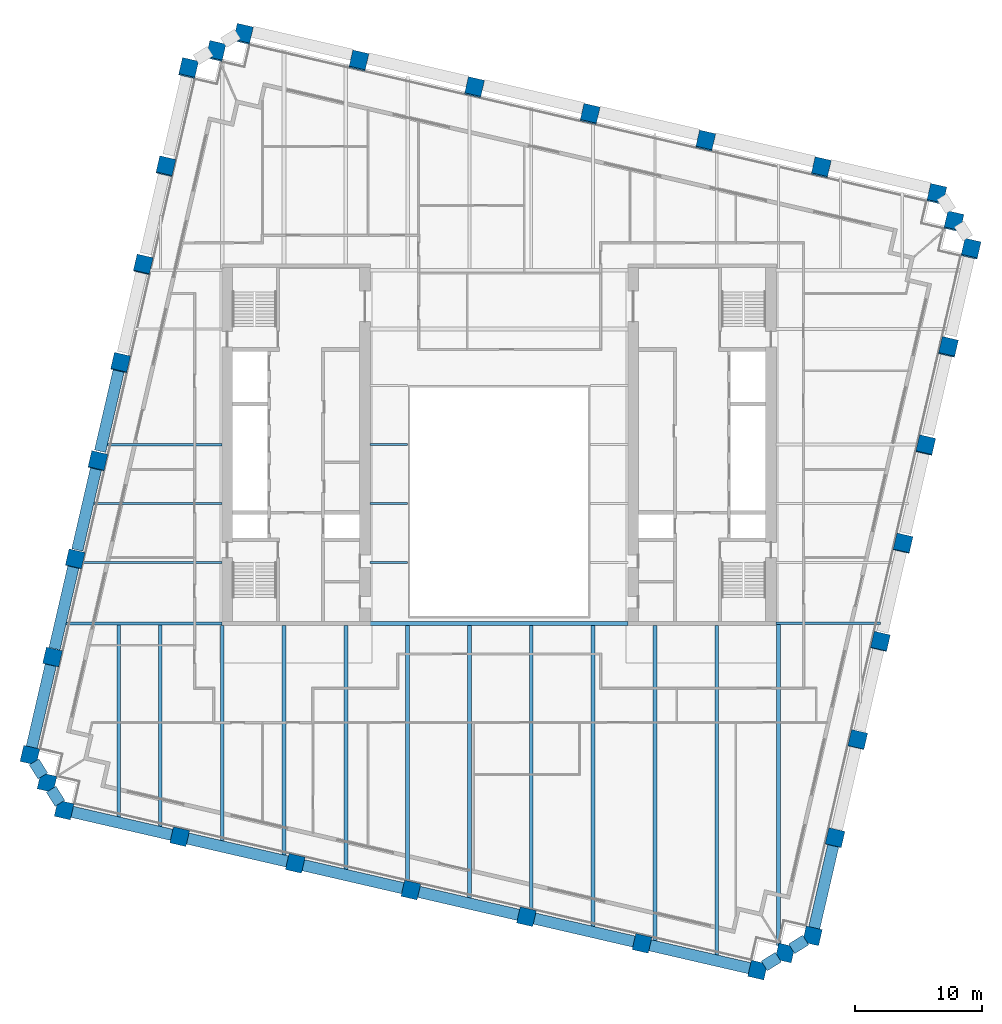
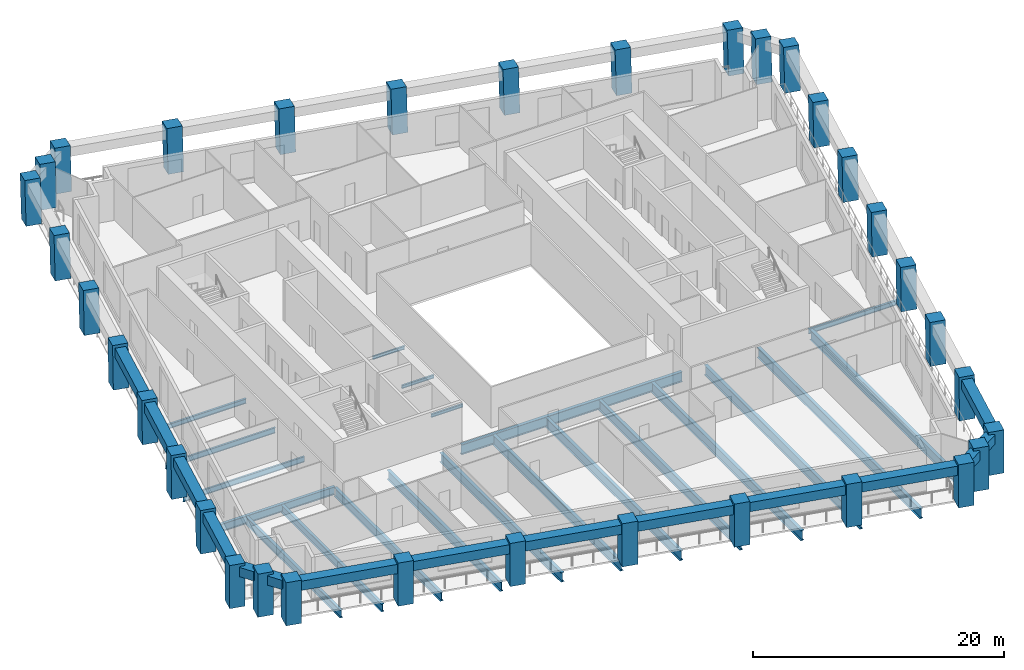
# One storey, part 1 of 11: 36 beams, 34 columns.
"""IFC4 building model written with IfcOpenShell, lengths in metres."""

from ifc_helpers import new_model, si_unit, direction, frame, origin, origin_2d, place, context, subcontext, project, spatial, rectangle, i_section, extrude, material, material_profile, profile_set, type_object, element, save


model = new_model("IFC4")

# Units and contexts
model_context = context("Model", 3, precision=1e-05, world=origin(), true_north=direction((0.0, 1.0)))
body_context = subcontext(model_context, "Body", "Model", "MODEL_VIEW")
ifc_project = project(units=[si_unit("LENGTHUNIT", "METRE"), si_unit("AREAUNIT", "SQUARE_METRE"), si_unit("VOLUMEUNIT", "CUBIC_METRE"), si_unit("PLANEANGLEUNIT", "RADIAN"), si_unit("MASSUNIT", "GRAM", prefix="KILO")], contexts=[model_context])

# Site, building, storey
site_placement = place(None, origin())
site = spatial("IfcSite", under=ifc_project, at=site_placement, CompositionType="ELEMENT")
building_placement = place(site_placement, origin())
building = spatial("IfcBuilding", under=site, at=building_placement, Name="Ogive Exchange Tower", CompositionType="ELEMENT")
storey_placement = place(building_placement, frame((0.0, 0.0, 109.800048828125)))
storey = spatial("IfcBuildingStorey", under=building, at=storey_placement, Name="L23", CompositionType="ELEMENT", Elevation=109.800048828125)

# Columns
ifc_material_1 = material(Name="Precast concrete C70/85 (limestone faced)", Category="masonry")
ifc_material_profile_1 = material_profile(ifc_material_1, rectangle(XDim=1.300048828125, YDim=1.300048828125, at=origin_2d()), Name="1300 x 1300")
ifc_profile_set_1 = profile_set([ifc_material_profile_1], Name="Precast concrete C70/85 (limestone faced)")
column_type = type_object("IfcColumnType", Name="Precast exoskeleton leg 1300 x 1300 C70/85", PredefinedType="COLUMN", material=ifc_profile_set_1)
for number, where, z_axis, x_axis, name in (
    (1, (-34.281982421875, -17.298095703125, 0.0), (0.0, 0.0, 1.0), (0.974370064785, -0.224951054344, 0.0), "Exoskeleton leg 1"),
    (2, (-25.171630859375, -19.401611328125, 0.0), (0.0, 0.0, 1.0), (0.974370064785, -0.224951054344, 0.0), "Exoskeleton leg 2"),
    (3, (-16.061279296875, -21.504638671875, 0.0), (0.0, 0.0, 1.0), (0.974370064785, -0.224951054344, 0.0), "Exoskeleton leg 3"),
    (4, (-6.950927734375, -23.60791015625, 0.0), (0.0, 0.0, 1.0), (0.974370064785, -0.224951054344, 0.0), "Exoskeleton leg 4"),
    (5, (2.159423828125, -25.711181640625, 0.0), (0.0, 0.0, 1.0), (0.974370064785, -0.224951054344, 0.0), "Exoskeleton leg 5"),
    (6, (11.269775390625, -27.814697265625, 0.0), (0.0, 0.0, 1.0), (0.974370064785, -0.224951054344, 0.0), "Exoskeleton leg 6"),
    (7, (20.380126953125, -29.91796875, 0.0), (0.0, 0.0, 1.0), (0.974370064785, -0.224951054344, 0.0), "Exoskeleton leg 7"),
    (8, (24.697509765625, -27.219970703125, 0.0), (0.0, 0.0, 1.0), (0.974370064785, -0.224951054344, 0.0), "Exoskeleton leg 8"),
):
    element("IfcColumn", number, at=place(storey_placement, frame(where, z_axis=z_axis, x_axis=x_axis)), inside=storey, type_object=column_type, Name=name, PredefinedType="COLUMN", context=body_context, shape_type="SweptSolid", body=[
        extrude(rectangle(XDim=1.300048828125, YDim=1.300048828125, at=origin_2d()), origin(), (0.0, 0.0, 1.0), 4.199951171875),
    ])
column_1_placement = place(storey_placement, frame((26.482177734375, -19.49072265625, 0.0), z_axis=(0.002906226325, 0.012613022249, 0.99991622925), x_axis=(-0.974466825284, 0.224531526563, 0.0)))
element("IfcColumn", 9, at=column_1_placement, inside=storey, type_object=column_type, Name="Exoskeleton leg 9", PredefinedType="COLUMN", context=body_context, shape_type="SweptSolid", body=[
    extrude(rectangle(XDim=1.300048828125, YDim=1.300048828125, at=origin_2d()), origin(), (0.0, 0.0, 1.0), 4.2001953125),
])
column_2_placement = place(storey_placement, frame((28.2666015625, -11.76171875, 0.0), z_axis=(0.005810983994, 0.025277780376, 0.999663576552), x_axis=(-0.974579651079, 0.224041299099, 0.0)))
element("IfcColumn", 10, at=column_2_placement, inside=storey, type_object=column_type, Name="Exoskeleton leg 10", PredefinedType="COLUMN", context=body_context, shape_type="SweptSolid", body=[
    extrude(rectangle(XDim=1.300048828125, YDim=1.300048828125, at=origin_2d()), origin(), (0.0, 0.0, 1.0), 4.201416015625),
])
column_3_placement = place(storey_placement, frame((30.05078125, -4.032470703125, 0.0), z_axis=(0.008770884695, 0.037929719907, 0.99924191662), x_axis=(-0.974290512438, 0.225295355862, 0.0)))
element("IfcColumn", 11, at=column_3_placement, inside=storey, type_object=column_type, Name="Exoskeleton leg 11", PredefinedType="COLUMN", context=body_context, shape_type="SweptSolid", body=[
    extrude(rectangle(XDim=1.300048828125, YDim=1.300048828125, at=origin_2d()), origin(), (0.0, 0.0, 1.0), 4.203125),
])
column_4_placement = place(storey_placement, frame((31.835205078125, 3.696533203125, 0.0), z_axis=(0.01172631027, 0.050562456661, 0.998652057337), x_axis=(-0.974145569572, 0.225921245756, 0.0)))
element("IfcColumn", 12, at=column_4_placement, inside=storey, type_object=column_type, Name="Exoskeleton leg 12", PredefinedType="COLUMN", context=body_context, shape_type="SweptSolid", body=[
    extrude(rectangle(XDim=1.300048828125, YDim=1.300048828125, at=origin_2d()), origin(), (0.0, 0.0, 1.0), 4.20556640625),
])
column_5_placement = place(storey_placement, frame((33.61962890625, 11.42578125, 0.0), z_axis=(0.014617836866, 0.063111930596, 0.997899395261), x_axis=(-0.974209784844, 0.225644178107, 0.0)))
element("IfcColumn", 13, at=column_5_placement, inside=storey, type_object=column_type, Name="Exoskeleton leg 13", PredefinedType="COLUMN", context=body_context, shape_type="SweptSolid", body=[
    extrude(rectangle(XDim=1.300048828125, YDim=1.300048828125, at=origin_2d()), origin(), (0.0, 0.0, 1.0), 4.208740234375),
])
column_6_placement = place(storey_placement, frame((35.404296875, 19.15478515625, 0.0), z_axis=(0.01744401301, 0.075745265796, 0.996974604049), x_axis=(-0.974491627871, 0.224423856151, 0.0)))
element("IfcColumn", 14, at=column_6_placement, inside=storey, type_object=column_type, Name="Exoskeleton leg 14", PredefinedType="COLUMN", context=body_context, shape_type="SweptSolid", body=[
    extrude(rectangle(XDim=1.300048828125, YDim=1.300048828125, at=origin_2d()), origin(), (0.0, 0.0, 1.0), 4.212646484375),
])
for number, where, z_axis, x_axis, name in (
    (15, (37.188720703125, 26.884033203125, 0.0), (0.020319626563, 0.088225387128, 0.995893264282), (-0.974488096918, 0.224439187676, 0.0), "Exoskeleton leg 15"),
    (16, (34.49072265625, 31.20166015625, 0.0), (0.020319626563, 0.088225387128, 0.995893264282), (-0.974488096918, 0.224439187676, 0.0), "Exoskeleton leg 16"),
    (17, (25.38037109375, 33.304931640625, 0.0), (0.020377493232, 0.0882252832, 0.995892091129), (-0.97434807649, 0.225046274885, 0.0), "Exoskeleton leg 17"),
    (18, (16.27001953125, 35.408203125, 0.0), (0.020319626563, 0.088225387128, 0.995893264282), (-0.974488096918, 0.224439187676, 0.0), "Exoskeleton leg 18"),
    (19, (7.15966796875, 37.511474609375, 0.0), (0.020377493232, 0.0882252832, 0.995892091129), (-0.97434807649, 0.225046274885, 0.0), "Exoskeleton leg 19"),
    (20, (-1.95068359375, 39.61474609375, 0.0), (0.020319626563, 0.088225387128, 0.995893264282), (-0.974488096918, 0.224439187676, 0.0), "Exoskeleton leg 20"),
    (21, (-11.06103515625, 41.718017578125, 0.0), (0.020319626563, 0.088225387128, 0.995893264282), (-0.974488096918, 0.224439187676, 0.0), "Exoskeleton leg 21"),
    (22, (-20.17138671875, 43.8212890625, 0.0), (0.020319522749, 0.088282826757, 0.9958881762), (-0.974520276705, 0.224299421065, 0.0), "Exoskeleton leg 22"),
    (23, (-24.489013671875, 41.12353515625, 0.0), (0.020319626563, 0.088225387128, 0.995893264282), (-0.974488096918, 0.224439187676, 0.0), "Exoskeleton leg 23"),
):
    element("IfcColumn", number, at=place(storey_placement, frame(where, z_axis=z_axis, x_axis=x_axis)), inside=storey, type_object=column_type, Name=name, PredefinedType="COLUMN", context=body_context, shape_type="SweptSolid", body=[
        extrude(rectangle(XDim=1.300048828125, YDim=1.300048828125, at=origin_2d()), origin(), (0.0, 0.0, 1.0), 4.21728515625),
    ])
column_7_placement = place(storey_placement, frame((-26.2734375, 33.394287109375, 0.0), z_axis=(0.017444089556, 0.075687644385, 0.996978978829), x_axis=(-0.974454034257, 0.224587032398, 0.0)))
element("IfcColumn", 24, at=column_7_placement, inside=storey, type_object=column_type, Name="Exoskeleton leg 24", PredefinedType="COLUMN", context=body_context, shape_type="SweptSolid", body=[
    extrude(rectangle(XDim=1.300048828125, YDim=1.300048828125, at=origin_2d()), origin(), (0.0, 0.0, 1.0), 4.212646484375),
])
column_8_placement = place(storey_placement, frame((-28.057861328125, 25.665283203125, 0.0), z_axis=(0.014559841898, 0.063111984005, 0.997900239743), x_axis=(-0.97440628778, 0.224794097641, 0.0)))
element("IfcColumn", 25, at=column_8_placement, inside=storey, type_object=column_type, Name="Exoskeleton leg 25", PredefinedType="COLUMN", context=body_context, shape_type="SweptSolid", body=[
    extrude(rectangle(XDim=1.300048828125, YDim=1.300048828125, at=origin_2d()), origin(), (0.0, 0.0, 1.0), 4.208740234375),
])
column_9_placement = place(storey_placement, frame((-29.84228515625, 17.93603515625, 0.0), z_axis=(0.011668267153, 0.050562490995, 0.998652735462), x_axis=(-0.974391195695, 0.224859506699, 0.0)))
element("IfcColumn", 26, at=column_9_placement, inside=storey, type_object=column_type, Name="Exoskeleton leg 26", PredefinedType="COLUMN", context=body_context, shape_type="SweptSolid", body=[
    extrude(rectangle(XDim=1.300048828125, YDim=1.300048828125, at=origin_2d()), origin(), (0.0, 0.0, 1.0), 4.20556640625),
])
column_10_placement = place(storey_placement, frame((-31.626708984375, 10.206787109375, 0.0), z_axis=(0.008770884695, 0.037929719907, 0.99924191662), x_axis=(-0.974290512438, 0.225295355862, 0.0)))
element("IfcColumn", 27, at=column_10_placement, inside=storey, type_object=column_type, Name="Exoskeleton leg 27", PredefinedType="COLUMN", context=body_context, shape_type="SweptSolid", body=[
    extrude(rectangle(XDim=1.300048828125, YDim=1.300048828125, at=origin_2d()), origin(), (0.0, 0.0, 1.0), 4.203125),
])
column_11_placement = place(storey_placement, frame((-33.4111328125, 2.477783203125, 0.0), z_axis=(0.005810983994, 0.025277780376, 0.999663576552), x_axis=(-0.974579651079, 0.224041299099, 0.0)))
element("IfcColumn", 28, at=column_11_placement, inside=storey, type_object=column_type, Name="Exoskeleton leg 28", PredefinedType="COLUMN", context=body_context, shape_type="SweptSolid", body=[
    extrude(rectangle(XDim=1.300048828125, YDim=1.300048828125, at=origin_2d()), origin(), (0.0, 0.0, 1.0), 4.201416015625),
])
column_12_placement = place(storey_placement, frame((-35.195556640625, -5.25146484375, 0.0), z_axis=(0.002906224189, 0.012671137464, 0.999915494498), x_axis=(-0.974691740237, 0.22355315143, 0.0)))
element("IfcColumn", 29, at=column_12_placement, inside=storey, type_object=column_type, Name="Exoskeleton leg 29", PredefinedType="COLUMN", context=body_context, shape_type="SweptSolid", body=[
    extrude(rectangle(XDim=1.300048828125, YDim=1.300048828125, at=origin_2d()), origin(), (0.0, 0.0, 1.0), 4.2001953125),
])
for number, where, z_axis, x_axis, name in (
    (30, (-36.97998046875, -12.980712890625, 0.0), (0.0, 0.0, 1.0), (0.974370064785, -0.224951054344, 0.0), "Exoskeleton leg 30"),
    (31, (22.538818359375, -28.569091796875, 0.0), (0.0, 0.0, 1.0), (0.974370064785, -0.224951054344, 0.0), "Exoskeleton leg 31"),
):
    element("IfcColumn", number, at=place(storey_placement, frame(where, z_axis=z_axis, x_axis=x_axis)), inside=storey, type_object=column_type, Name=name, PredefinedType="COLUMN", context=body_context, shape_type="SweptSolid", body=[
        extrude(rectangle(XDim=1.300048828125, YDim=1.300048828125, at=origin_2d()), origin(), (0.0, 0.0, 1.0), 4.199951171875),
    ])
for number, where, z_axis, x_axis, name in (
    (32, (35.839599609375, 29.04296875, 0.0), (0.020377597275, 0.088167842757, 0.995897175934), (-0.97431566651, 0.225186549318, 0.0), "Exoskeleton leg 32"),
    (33, (-22.330322265625, 42.472412109375, 0.0), (0.020377493232, 0.0882252832, 0.995892091129), (-0.97434807649, 0.225046274885, 0.0), "Exoskeleton leg 33"),
):
    element("IfcColumn", number, at=place(storey_placement, frame(where, z_axis=z_axis, x_axis=x_axis)), inside=storey, type_object=column_type, Name=name, PredefinedType="COLUMN", context=body_context, shape_type="SweptSolid", body=[
        extrude(rectangle(XDim=1.300048828125, YDim=1.300048828125, at=origin_2d()), origin(), (0.0, 0.0, 1.0), 4.21728515625),
    ])
column_13_placement = place(storey_placement, frame((-35.631103515625, -15.139404296875, 0.0), z_axis=(0.0, 0.0, 1.0), x_axis=(0.974370064785, -0.224951054344, 0.0)))
element("IfcColumn", 34, at=column_13_placement, inside=storey, type_object=column_type, Name="Exoskeleton leg 34", PredefinedType="COLUMN", context=body_context, shape_type="SweptSolid", body=[
    extrude(rectangle(XDim=1.300048828125, YDim=1.300048828125, at=origin_2d()), origin(), (0.0, 0.0, 1.0), 4.199951171875),
])

# Beams
ifc_material_2 = material(Name="Steel ASTM A992 Gr50", Category="steel")
ifc_material_profile_2 = material_profile(ifc_material_2, i_section(OverallWidth=0.300048828125, OverallDepth=0.969970703125, WebThickness=0.01611328125, FlangeThickness=0.02099609375, at=origin_2d()), Name="W1000x222")
ifc_profile_set_2 = profile_set([ifc_material_profile_2], Name="Steel ASTM A992 Gr50")
beam_type_1 = type_object("IfcBeamType", Name="Floor beam W1000x222", PredefinedType="JOIST", material=ifc_profile_set_2)
beam_1_placement = place(storey_placement, frame((-7.20458984375, -23.087646484375, -0.68505859375), z_axis=(0.0, 1.0, 0.0), x_axis=(-1.0, 0.0, 0.0)))
element("IfcBeam", 35, at=beam_1_placement, inside=storey, type_object=beam_type_1, Name="Floor beam", PredefinedType="JOIST", context=body_context, shape_type="SweptSolid", body=[
    extrude(i_section(OverallWidth=0.300048828125, OverallDepth=0.969970703125, WebThickness=0.01611328125, FlangeThickness=0.02099609375, at=origin_2d()), origin(), (0.0, 0.0, 1.0), 20.342529296875),
])
ifc_material_profile_3 = material_profile(ifc_material_2, i_section(OverallWidth=0.300048828125, OverallDepth=0.97998046875, WebThickness=0.0166015625, FlangeThickness=0.026123046875, at=origin_2d()), Name="W1000x249")
ifc_profile_set_3 = profile_set([ifc_material_profile_3], Name="Steel ASTM A992 Gr50")
beam_type_2 = type_object("IfcBeamType", Name="Floor beam W1000x249", PredefinedType="JOIST", material=ifc_profile_set_3)
beam_2_placement = place(storey_placement, frame((-2.33203125, -24.212646484375, -0.68994140625), z_axis=(0.0, 1.0, 0.0), x_axis=(-1.0, 0.0, 0.0)))
element("IfcBeam", 36, at=beam_2_placement, inside=storey, type_object=beam_type_2, Name="Floor beam", PredefinedType="JOIST", context=body_context, shape_type="SweptSolid", body=[
    extrude(i_section(OverallWidth=0.300048828125, OverallDepth=0.97998046875, WebThickness=0.0166015625, FlangeThickness=0.026123046875, at=origin_2d()), origin(), (0.0, 0.0, 1.0), 21.467529296875),
])
beam_3_placement = place(storey_placement, frame((2.54052734375, -25.33740234375, -0.68994140625), z_axis=(0.0, 1.0, 0.0), x_axis=(-1.0, 0.0, 0.0)))
element("IfcBeam", 37, at=beam_3_placement, inside=storey, type_object=beam_type_2, Name="Floor beam", PredefinedType="JOIST", context=body_context, shape_type="SweptSolid", body=[
    extrude(i_section(OverallWidth=0.300048828125, OverallDepth=0.97998046875, WebThickness=0.0166015625, FlangeThickness=0.026123046875, at=origin_2d()), origin(), (0.0, 0.0, 1.0), 22.59228515625),
])
beam_4_placement = place(storey_placement, frame((7.4130859375, -26.6123046875, -0.68994140625), z_axis=(0.0, 1.0, 0.0), x_axis=(-1.0, 0.0, 0.0)))
element("IfcBeam", 38, at=beam_4_placement, inside=storey, type_object=beam_type_2, Name="Floor beam", PredefinedType="JOIST", context=body_context, shape_type="SweptSolid", body=[
    extrude(i_section(OverallWidth=0.300048828125, OverallDepth=0.97998046875, WebThickness=0.0166015625, FlangeThickness=0.026123046875, at=origin_2d()), origin(), (0.0, 0.0, 1.0), 23.8671875),
])
beam_5_placement = place(storey_placement, frame((12.285888671875, -27.58740234375, -0.68994140625), z_axis=(0.0, 1.0, 0.0), x_axis=(-1.0, 0.0, 0.0)))
element("IfcBeam", 39, at=beam_5_placement, inside=storey, type_object=beam_type_2, Name="Floor beam", PredefinedType="JOIST", context=body_context, shape_type="SweptSolid", body=[
    extrude(i_section(OverallWidth=0.300048828125, OverallDepth=0.97998046875, WebThickness=0.0166015625, FlangeThickness=0.026123046875, at=origin_2d()), origin(), (0.0, 0.0, 1.0), 24.83740234375),
])
beam_6_placement = place(storey_placement, frame((17.158447265625, -28.71240234375, -0.68994140625), z_axis=(0.0, 1.0, 0.0), x_axis=(-1.0, 0.0, 0.0)))
element("IfcBeam", 40, at=beam_6_placement, inside=storey, type_object=beam_type_2, Name="Floor beam", PredefinedType="JOIST", context=body_context, shape_type="SweptSolid", body=[
    extrude(i_section(OverallWidth=0.300048828125, OverallDepth=0.97998046875, WebThickness=0.0166015625, FlangeThickness=0.026123046875, at=origin_2d()), origin(), (0.0, 0.0, 1.0), 25.96240234375),
])
beam_7_placement = place(storey_placement, frame((22.031005859375, -27.989990234375, -0.68994140625), z_axis=(0.0, 1.0, 0.0), x_axis=(-1.0, 0.0, 0.0)))
element("IfcBeam", 41, at=beam_7_placement, inside=storey, type_object=beam_type_2, Name="Floor beam", PredefinedType="JOIST", context=body_context, shape_type="SweptSolid", body=[
    extrude(i_section(OverallWidth=0.300048828125, OverallDepth=0.97998046875, WebThickness=0.0166015625, FlangeThickness=0.026123046875, at=origin_2d()), origin(), (0.0, 0.0, 1.0), 25.299072265625),
])
ifc_material_profile_4 = material_profile(ifc_material_2, i_section(OverallWidth=0.1650390625, OverallDepth=0.31005859375, WebThickness=0.005859375, FlangeThickness=0.009765625, at=origin_2d()), Name="W310x38.7")
ifc_profile_set_4 = profile_set([ifc_material_profile_4], Name="Steel ASTM A992 Gr50")
beam_type_3 = type_object("IfcBeamType", Name="Floor beam W310x38.7", PredefinedType="JOIST", material=ifc_profile_set_4)
for number, where, z_axis, x_axis, name in (
    (42, (-10.169921875, 2.208740234375, -0.35498046875), (1.0, 0.0, 0.0), (0.0, 1.0, 0.0), "Floor beam"),
    (43, (-10.169921875, 6.857421875, -0.35498046875), (1.0, 0.0, 0.0), (0.0, 1.0, 0.0), "Floor beam"),
    (44, (-10.169921875, 11.50634765625, -0.35498046875), (1.0, 0.0, 0.0), (0.0, 1.0, 0.0), "Floor beam"),
):
    element("IfcBeam", number, at=place(storey_placement, frame(where, z_axis=z_axis, x_axis=x_axis)), inside=storey, type_object=beam_type_3, Name=name, PredefinedType="JOIST", context=body_context, shape_type="SweptSolid", body=[
        extrude(i_section(OverallWidth=0.1650390625, OverallDepth=0.31005859375, WebThickness=0.005859375, FlangeThickness=0.009765625, at=origin_2d()), origin(), (0.0, 0.0, 1.0), 2.949951171875),
    ])
ifc_material_profile_5 = material_profile(ifc_material_2, i_section(OverallWidth=0.19091796875, OverallDepth=0.45703125, WebThickness=0.009033203125, FlangeThickness=0.014404296875, at=origin_2d()), Name="W460x74")
ifc_profile_set_5 = profile_set([ifc_material_profile_5], Name="Steel ASTM A992 Gr50")
beam_type_4 = type_object("IfcBeamType", Name="Floor beam W460x74", PredefinedType="JOIST", material=ifc_profile_set_5)
beam_8_placement = place(storey_placement, frame((-30.864990234375, 11.50634765625, -0.428466796875), z_axis=(1.0, 0.0, 0.0), x_axis=(0.0, 1.0, 0.0)))
element("IfcBeam", 45, at=beam_8_placement, inside=storey, type_object=beam_type_4, Name="Floor beam", PredefinedType="JOIST", context=body_context, shape_type="SweptSolid", body=[
    extrude(i_section(OverallWidth=0.19091796875, OverallDepth=0.45703125, WebThickness=0.009033203125, FlangeThickness=0.014404296875, at=origin_2d()), origin(), (0.0, 0.0, 1.0), 9.034912109375),
])
ifc_material_profile_6 = material_profile(ifc_material_2, i_section(OverallWidth=0.1669921875, OverallDepth=0.535888671875, WebThickness=0.01025390625, FlangeThickness=0.0166015625, at=origin_2d()), Name="W530x85")
ifc_profile_set_6 = profile_set([ifc_material_profile_6], Name="Steel ASTM A992 Gr50")
beam_type_5 = type_object("IfcBeamType", Name="Floor beam W530x85", PredefinedType="JOIST", material=ifc_profile_set_6)
beam_9_placement = place(storey_placement, frame((-33.011474609375, 2.208740234375, -0.468017578125), z_axis=(1.0, 0.0, 0.0), x_axis=(0.0, 1.0, 0.0)))
element("IfcBeam", 46, at=beam_9_placement, inside=storey, type_object=beam_type_5, Name="Floor beam", PredefinedType="JOIST", context=body_context, shape_type="SweptSolid", body=[
    extrude(i_section(OverallWidth=0.1669921875, OverallDepth=0.535888671875, WebThickness=0.01025390625, FlangeThickness=0.0166015625, at=origin_2d()), origin(), (0.0, 0.0, 1.0), 11.181396484375),
])
beam_10_placement = place(storey_placement, frame((-31.938232421875, 6.857421875, -0.468017578125), z_axis=(1.0, 0.0, 0.0), x_axis=(0.0, 1.0, 0.0)))
element("IfcBeam", 47, at=beam_10_placement, inside=storey, type_object=beam_type_5, Name="Floor beam", PredefinedType="JOIST", context=body_context, shape_type="SweptSolid", body=[
    extrude(i_section(OverallWidth=0.1669921875, OverallDepth=0.535888671875, WebThickness=0.01025390625, FlangeThickness=0.0166015625, at=origin_2d()), origin(), (0.0, 0.0, 1.0), 10.108154296875),
])
ifc_material_profile_7 = material_profile(ifc_material_2, i_section(OverallWidth=0.26708984375, OverallDepth=0.75390625, WebThickness=0.01318359375, FlangeThickness=0.01708984375, at=origin_2d()), Name="W760x147")
ifc_profile_set_7 = profile_set([ifc_material_profile_7], Name="Steel ASTM A992 Gr50")
beam_type_6 = type_object("IfcBeamType", Name="Floor beam W760x147", PredefinedType="JOIST", material=ifc_profile_set_7)
beam_11_placement = place(storey_placement, frame((-29.9677734375, -17.83251953125, -0.5771484375), z_axis=(0.0, 1.0, 0.0), x_axis=(-1.0, 0.0, 0.0)))
element("IfcBeam", 48, at=beam_11_placement, inside=storey, type_object=beam_type_6, Name="Floor beam", PredefinedType="JOIST", context=body_context, shape_type="SweptSolid", body=[
    extrude(i_section(OverallWidth=0.26708984375, OverallDepth=0.75390625, WebThickness=0.01318359375, FlangeThickness=0.01708984375, at=origin_2d()), origin(), (0.0, 0.0, 1.0), 15.10400390625),
])
ifc_material_profile_8 = material_profile(ifc_material_2, i_section(OverallWidth=0.26708984375, OverallDepth=0.761962890625, WebThickness=0.014404296875, FlangeThickness=0.021484375, at=origin_2d()), Name="W760x173")
ifc_profile_set_8 = profile_set([ifc_material_profile_8], Name="Steel ASTM A992 Gr50")
beam_type_7 = type_object("IfcBeamType", Name="Floor beam W760x173", PredefinedType="JOIST", material=ifc_profile_set_8)
beam_12_placement = place(storey_placement, frame((-26.695068359375, -18.73779296875, -0.5810546875), z_axis=(0.0, 1.0, 0.0), x_axis=(-1.0, 0.0, 0.0)))
element("IfcBeam", 49, at=beam_12_placement, inside=storey, type_object=beam_type_7, Name="Floor beam", PredefinedType="JOIST", context=body_context, shape_type="SweptSolid", body=[
    extrude(i_section(OverallWidth=0.26708984375, OverallDepth=0.761962890625, WebThickness=0.014404296875, FlangeThickness=0.021484375, at=origin_2d()), origin(), (0.0, 0.0, 1.0), 16.00927734375),
])
ifc_material_profile_9 = material_profile(ifc_material_2, i_section(OverallWidth=0.2919921875, OverallDepth=0.8359375, WebThickness=0.013916015625, FlangeThickness=0.018798828125, at=origin_2d()), Name="W840x176")
ifc_profile_set_9 = profile_set([ifc_material_profile_9], Name="Steel ASTM A992 Gr50")
beam_type_8 = type_object("IfcBeamType", Name="Floor beam W840x176", PredefinedType="JOIST", material=ifc_profile_set_9)
beam_13_placement = place(storey_placement, frame((-21.822509765625, -19.712890625, -0.6181640625), z_axis=(0.0, 1.0, 0.0), x_axis=(-1.0, 0.0, 0.0)))
element("IfcBeam", 50, at=beam_13_placement, inside=storey, type_object=beam_type_8, Name="Floor beam", PredefinedType="JOIST", context=body_context, shape_type="SweptSolid", body=[
    extrude(i_section(OverallWidth=0.2919921875, OverallDepth=0.8359375, WebThickness=0.013916015625, FlangeThickness=0.018798828125, at=origin_2d()), origin(), (0.0, 0.0, 1.0), 16.962890625),
])
ifc_material_profile_10 = material_profile(ifc_material_2, i_section(OverallWidth=0.304931640625, OverallDepth=0.904052734375, WebThickness=0.01513671875, FlangeThickness=0.02001953125, at=origin_2d()), Name="W920x201")
ifc_profile_set_10 = profile_set([ifc_material_profile_10], Name="Steel ASTM A992 Gr50")
beam_type_9 = type_object("IfcBeamType", Name="Floor beam W920x201", PredefinedType="JOIST", material=ifc_profile_set_10)
beam_14_placement = place(storey_placement, frame((-16.94970703125, -20.837890625, -0.652099609375), z_axis=(0.0, 1.0, 0.0), x_axis=(-1.0, 0.0, 0.0)))
element("IfcBeam", 51, at=beam_14_placement, inside=storey, type_object=beam_type_9, Name="Floor beam", PredefinedType="JOIST", context=body_context, shape_type="SweptSolid", body=[
    extrude(i_section(OverallWidth=0.304931640625, OverallDepth=0.904052734375, WebThickness=0.01513671875, FlangeThickness=0.02001953125, at=origin_2d()), origin(), (0.0, 0.0, 1.0), 18.087890625),
])
ifc_material_profile_11 = material_profile(ifc_material_2, i_section(OverallWidth=0.306884765625, OverallDepth=0.927001953125, WebThickness=0.019287109375, FlangeThickness=0.031982421875, at=origin_2d()), Name="W920x289")
ifc_profile_set_11 = profile_set([ifc_material_profile_11], Name="Steel ASTM A992 Gr50")
beam_type_10 = type_object("IfcBeamType", Name="Floor beam W920x289", PredefinedType="JOIST", material=ifc_profile_set_11)
beam_15_placement = place(storey_placement, frame((-12.0771484375, -22.11279296875, -0.66357421875), z_axis=(0.0, 1.0, 0.0), x_axis=(-1.0, 0.0, 0.0)))
element("IfcBeam", 52, at=beam_15_placement, inside=storey, type_object=beam_type_10, Name="Floor beam", PredefinedType="JOIST", context=body_context, shape_type="SweptSolid", body=[
    extrude(i_section(OverallWidth=0.306884765625, OverallDepth=0.927001953125, WebThickness=0.019287109375, FlangeThickness=0.031982421875, at=origin_2d()), origin(), (0.0, 0.0, 1.0), 19.36279296875),
])
ifc_material_profile_12 = material_profile(ifc_material_2, i_section(OverallWidth=0.300048828125, OverallDepth=0.97998046875, WebThickness=0.0166015625, FlangeThickness=0.026123046875, at=origin_2d()), Name="W1000x249")
ifc_profile_set_12 = profile_set([ifc_material_profile_12], Name="Steel ASTM A992 Gr50")
beam_type_11 = type_object("IfcBeamType", Name="Girder W1000x249", PredefinedType="BEAM", material=ifc_profile_set_12)
beam_16_placement = place(storey_placement, frame((-10.169921875, -2.594970703125, -0.68994140625), z_axis=(1.0, 0.0, 0.0), x_axis=(0.0, 1.0, 0.0)))
element("IfcBeam", 53, at=beam_16_placement, inside=storey, type_object=beam_type_11, Name="Header girder", PredefinedType="BEAM", context=body_context, shape_type="SweptSolid", body=[
    extrude(i_section(OverallWidth=0.300048828125, OverallDepth=0.97998046875, WebThickness=0.0166015625, FlangeThickness=0.026123046875, at=origin_2d()), origin(), (0.0, 0.0, 1.0), 20.33984375),
])
ifc_material_profile_13 = material_profile(ifc_material_2, i_section(OverallWidth=0.19189453125, OverallDepth=0.4619140625, WebThickness=0.010498046875, FlangeThickness=0.017578125, at=origin_2d()), Name="W460x89")
ifc_profile_set_13 = profile_set([ifc_material_profile_13], Name="Steel ASTM A992 Gr50")
beam_type_12 = type_object("IfcBeamType", Name="Girder W460x89", PredefinedType="BEAM", material=ifc_profile_set_13)
beam_17_placement = place(storey_placement, frame((21.830078125, -2.594970703125, -0.43115234375), z_axis=(1.0, 0.0, 0.0), x_axis=(0.0, 1.0, 0.0)))
element("IfcBeam", 54, at=beam_17_placement, inside=storey, type_object=beam_type_12, Name="Header girder", PredefinedType="BEAM", context=body_context, shape_type="SweptSolid", body=[
    extrude(i_section(OverallWidth=0.19189453125, OverallDepth=0.4619140625, WebThickness=0.010498046875, FlangeThickness=0.017578125, at=origin_2d()), origin(), (0.0, 0.0, 1.0), 8.24072265625),
])
ifc_material_profile_14 = material_profile(ifc_material_2, i_section(OverallWidth=0.26708984375, OverallDepth=0.75390625, WebThickness=0.01318359375, FlangeThickness=0.01708984375, at=origin_2d()), Name="W760x147")
ifc_profile_set_14 = profile_set([ifc_material_profile_14], Name="Steel ASTM A992 Gr50")
beam_type_13 = type_object("IfcBeamType", Name="Girder W760x147", PredefinedType="BEAM", material=ifc_profile_set_14)
beam_18_placement = place(storey_placement, frame((-34.2705078125, -2.594970703125, -0.5771484375), z_axis=(1.0, 0.0, 0.0), x_axis=(0.0, 1.0, 0.0)))
element("IfcBeam", 55, at=beam_18_placement, inside=storey, type_object=beam_type_13, Name="Header girder", PredefinedType="BEAM", context=body_context, shape_type="SweptSolid", body=[
    extrude(i_section(OverallWidth=0.26708984375, OverallDepth=0.75390625, WebThickness=0.01318359375, FlangeThickness=0.01708984375, at=origin_2d()), origin(), (0.0, 0.0, 1.0), 12.4404296875),
])
ifc_material_profile_15 = material_profile(ifc_material_1, rectangle(XDim=0.89990234375, YDim=0.89990234375, at=origin_2d()), Name="900 x 900")
ifc_profile_set_15 = profile_set([ifc_material_profile_15], Name="Precast concrete C70/85 (limestone faced)")
beam_type_14 = type_object("IfcBeamType", Name="Precast spandrel 900 x 900 C70/85", PredefinedType="SPANDREL", material=ifc_profile_set_15)
for number, where, z_axis, x_axis, name in (
    (56, (-33.668212890625, -17.43994140625, 3.5), (0.974370337884, -0.224949871421, 0.0), (0.224949871421, 0.974370337884, 0.0), "Spandrel 1"),
    (57, (-24.557861328125, -19.543212890625, 3.5), (0.974370337884, -0.224949871421, 0.0), (0.224949871421, 0.974370337884, 0.0), "Spandrel 2"),
):
    element("IfcBeam", number, at=place(storey_placement, frame(where, z_axis=z_axis, x_axis=x_axis)), inside=storey, type_object=beam_type_14, Name=name, PredefinedType="SPANDREL", context=body_context, shape_type="SweptSolid", body=[
        extrude(rectangle(XDim=0.89990234375, YDim=0.89990234375, at=origin_2d()), origin(), (0.0, 0.0, 1.0), 8.08984375),
    ])
beam_19_placement = place(storey_placement, frame((-15.447509765625, -21.646484375, 3.5), z_axis=(0.974371864918, -0.224943256972, 0.0), x_axis=(0.224943256972, 0.974371864918, 0.0)))
element("IfcBeam", 58, at=beam_19_placement, inside=storey, type_object=beam_type_14, Name="Spandrel 3", PredefinedType="SPANDREL", context=body_context, shape_type="SweptSolid", body=[
    extrude(rectangle(XDim=0.89990234375, YDim=0.89990234375, at=origin_2d()), origin(), (0.0, 0.0, 1.0), 8.090087890625),
])
beam_20_placement = place(storey_placement, frame((-6.337158203125, -23.749755859375, 3.5), z_axis=(0.974370337884, -0.224949871421, 0.0), x_axis=(0.224949871421, 0.974370337884, 0.0)))
element("IfcBeam", 59, at=beam_20_placement, inside=storey, type_object=beam_type_14, Name="Spandrel 4", PredefinedType="SPANDREL", context=body_context, shape_type="SweptSolid", body=[
    extrude(rectangle(XDim=0.89990234375, YDim=0.89990234375, at=origin_2d()), origin(), (0.0, 0.0, 1.0), 8.08984375),
])
beam_21_placement = place(storey_placement, frame((2.773193359375, -25.85302734375, 3.5), z_axis=(0.974371864918, -0.224943256972, 0.0), x_axis=(0.224943256972, 0.974371864918, 0.0)))
element("IfcBeam", 60, at=beam_21_placement, inside=storey, type_object=beam_type_14, Name="Spandrel 5", PredefinedType="SPANDREL", context=body_context, shape_type="SweptSolid", body=[
    extrude(rectangle(XDim=0.89990234375, YDim=0.89990234375, at=origin_2d()), origin(), (0.0, 0.0, 1.0), 8.090087890625),
])
beam_22_placement = place(storey_placement, frame((11.883544921875, -27.956298828125, 3.5), z_axis=(0.974370337884, -0.224949871421, 0.0), x_axis=(0.224949871421, 0.974370337884, 0.0)))
element("IfcBeam", 61, at=beam_22_placement, inside=storey, type_object=beam_type_14, Name="Spandrel 6", PredefinedType="SPANDREL", context=body_context, shape_type="SweptSolid", body=[
    extrude(rectangle(XDim=0.89990234375, YDim=0.89990234375, at=origin_2d()), origin(), (0.0, 0.0, 1.0), 8.08984375),
])
for number, where, z_axis, x_axis, name in (
    (62, (20.9052734375, -29.58984375, 3.5), (0.848040277303, 0.529931776808, 0.0), (-0.529931776808, 0.848040277303, 0.0), "Spandrel 7"),
    (63, (23.06396484375, -28.24072265625, 3.5), (0.848092721491, 0.529847842077, 0.0), (-0.529847842077, 0.848092721491, 0.0), "Spandrel 8"),
):
    element("IfcBeam", number, at=place(storey_placement, frame(where, z_axis=z_axis, x_axis=x_axis)), inside=storey, type_object=beam_type_14, Name=name, PredefinedType="SPANDREL", context=body_context, shape_type="SweptSolid", body=[
        extrude(rectangle(XDim=0.89990234375, YDim=0.89990234375, at=origin_2d()), origin(), (0.0, 0.0, 1.0), 1.30712890625),
    ])
for number, where, z_axis, x_axis, name in (
    (64, (24.83935546875, -26.606201171875, 3.5), (0.224939022556, 0.974372842464, 0.0), (-0.974372842464, 0.224939022556, 0.0), "Spandrel 9"),
    (65, (-29.934814453125, 17.534912109375, 3.5), (-0.224973478032, -0.974364887597, 0.0), (0.974364887597, -0.224973478032, 0.0), "Spandrel 29"),
):
    element("IfcBeam", number, at=place(storey_placement, frame(where, z_axis=z_axis, x_axis=x_axis)), inside=storey, type_object=beam_type_14, Name=name, PredefinedType="SPANDREL", context=body_context, shape_type="SweptSolid", body=[
        extrude(rectangle(XDim=0.89990234375, YDim=0.89990234375, at=origin_2d()), origin(), (0.0, 0.0, 1.0), 6.72705078125),
    ])
beam_23_placement = place(storey_placement, frame((-31.731689453125, 9.75244140625, 3.5), z_axis=(-0.224946977153, -0.97437100607, 0.0), x_axis=(0.97437100607, -0.224946977153, 0.0)))
element("IfcBeam", 66, at=beam_23_placement, inside=storey, type_object=beam_type_14, Name="Spandrel 30", PredefinedType="SPANDREL", context=body_context, shape_type="SweptSolid", body=[
    extrude(rectangle(XDim=0.89990234375, YDim=0.89990234375, at=origin_2d()), origin(), (0.0, 0.0, 1.0), 6.726806640625),
])
for number, where, z_axis, x_axis, name in (
    (67, (-33.5283203125, 1.97021484375, 3.5), (-0.224939022556, -0.974372842464, 0.0), (0.974372842464, -0.224939022556, 0.0), "Spandrel 31"),
    (68, (-35.324951171875, -5.81201171875, 3.5), (-0.224973478032, -0.974364887597, 0.0), (0.974364887597, -0.224973478032, 0.0), "Spandrel 32"),
):
    element("IfcBeam", number, at=place(storey_placement, frame(where, z_axis=z_axis, x_axis=x_axis)), inside=storey, type_object=beam_type_14, Name=name, PredefinedType="SPANDREL", context=body_context, shape_type="SweptSolid", body=[
        extrude(rectangle(XDim=0.89990234375, YDim=0.89990234375, at=origin_2d()), origin(), (0.0, 0.0, 1.0), 6.72705078125),
    ])
for number, where, z_axis, x_axis, name in (
    (69, (-36.65185546875, -13.505615234375, 3.5), (0.529847842077, -0.848092721491, 0.0), (0.848092721491, 0.529847842077, 0.0), "Spandrel 33"),
    (70, (-35.302978515625, -15.66455078125, 3.5), (0.530066093226, -0.847956329543, 0.0), (0.847956329543, 0.530066093226, 0.0), "Spandrel 34"),
):
    element("IfcBeam", number, at=place(storey_placement, frame(where, z_axis=z_axis, x_axis=x_axis)), inside=storey, type_object=beam_type_14, Name=name, PredefinedType="SPANDREL", context=body_context, shape_type="SweptSolid", body=[
        extrude(rectangle(XDim=0.89990234375, YDim=0.89990234375, at=origin_2d()), origin(), (0.0, 0.0, 1.0), 1.30712890625),
    ])

save(model, "model.ifc")
